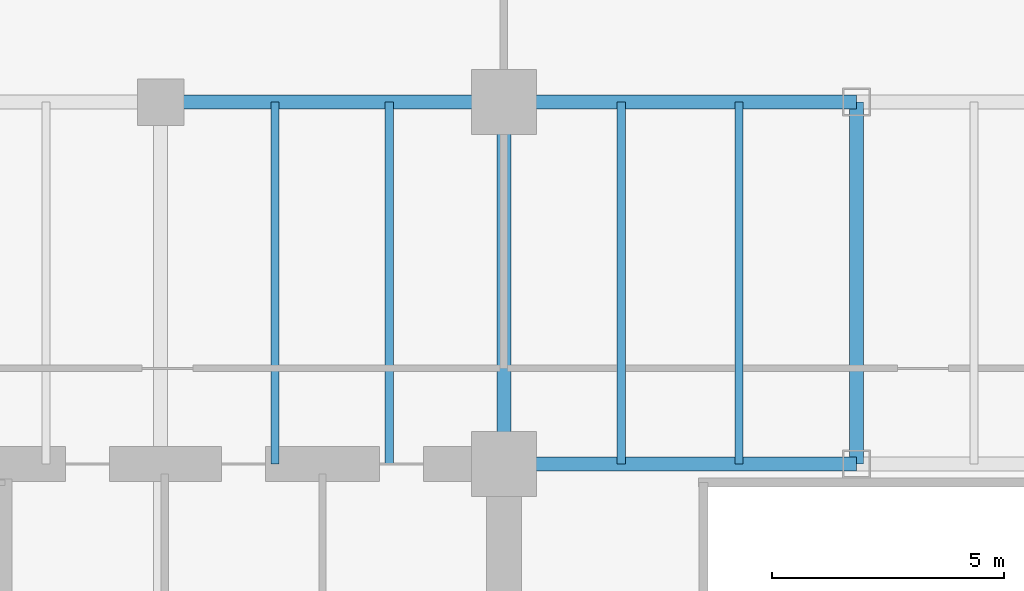
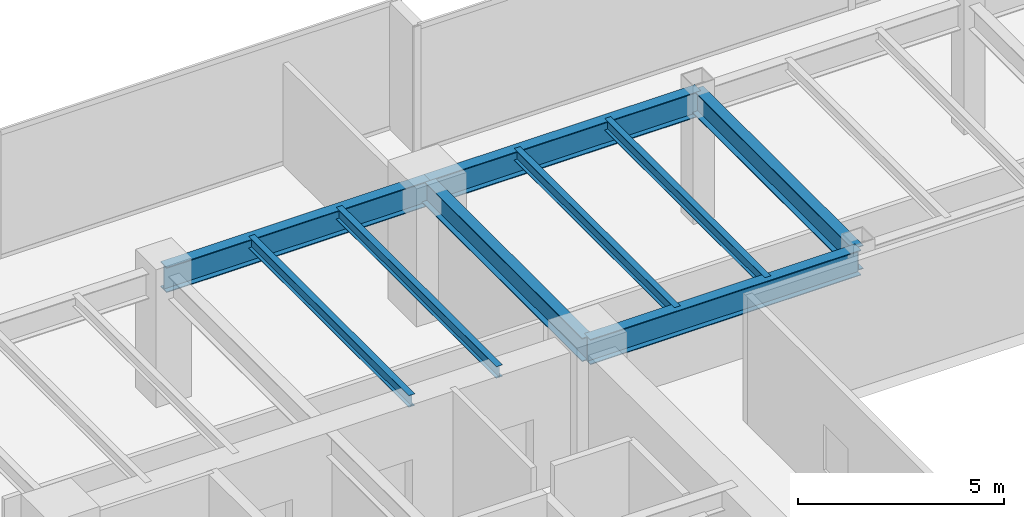
# One storey, part 13 of 35: 9 beams.
"""IFC4 building model written with IfcOpenShell, lengths in metres."""

from ifc_helpers import new_model, si_unit, direction, frame, origin, origin_2d, place, context, subcontext, project, spatial, i_section, extrude, source, transform, mapped, material, material_profile, profile_set, type_object, type_shapes, element, save


model = new_model("IFC4")

# Units and contexts
model_context = context("Model", 3, precision=1e-05, world=origin(), true_north=direction((0.0, 1.0)))
body_context = subcontext(model_context, "Body", "Model", "MODEL_VIEW")
ifc_project = project(units=[si_unit("LENGTHUNIT", "METRE"), si_unit("AREAUNIT", "SQUARE_METRE"), si_unit("VOLUMEUNIT", "CUBIC_METRE"), si_unit("PLANEANGLEUNIT", "RADIAN"), si_unit("MASSUNIT", "GRAM", prefix="KILO")], contexts=[model_context])

# Site, building, storey
site_placement = place(None, origin())
site = spatial("IfcSite", under=ifc_project, at=site_placement, CompositionType="ELEMENT")
building_placement = place(site_placement, origin())
building = spatial("IfcBuilding", under=site, at=building_placement, Name="Haelvirn Gate Laboratories", CompositionType="ELEMENT")
storey_placement = place(building_placement, frame((0.0, 0.0, 45.699951171875)))
storey = spatial("IfcBuildingStorey", under=building, at=storey_placement, Name="L11", CompositionType="ELEMENT", Elevation=45.699951171875)

# Beams
ifc_material = material(Name="Steel SM355", Category="steel")
ifc_material_profile_1 = material_profile(ifc_material, i_section(OverallWidth=0.300048828125, OverallDepth=0.699951171875, WebThickness=0.012939453125, FlangeThickness=0.02392578125, at=origin_2d()), Name="H-700x300x13x24")
ifc_profile_set_1 = profile_set([ifc_material_profile_1], Name="Steel SM355")
beam_type_1 = type_object("IfcBeamType", Name="BM-G-700", PredefinedType="BEAM", material=ifc_profile_set_1)
shared_shape_1 = source(origin(), body_context, "Body", "SweptSolid", [
    extrude(i_section(OverallWidth=0.300048828125, OverallDepth=0.699951171875, WebThickness=0.012939453125, FlangeThickness=0.02392578125, at=origin_2d()), origin(), (0.0, 0.0, 1.0), 7.800048828125),
])
type_shapes(beam_type_1, [shared_shape_1])
for number, where, z_axis, x_axis, name in (
    (1, (22.199951171875, 33.800048828125, 3.429931640625), (0.0, 1.0, 0.0), (-1.0, 0.0, 0.0), "L11 Frame Girder X22.2 (33.8-41.6)"),
    (2, (29.800048828125, 33.800048828125, 3.429931640625), (0.0, 1.0, 0.0), (-1.0, 0.0, 0.0), "L11 Frame Girder X29.8 (33.8-41.6)"),
):
    element("IfcBeam", number, at=place(storey_placement, frame(where, z_axis=z_axis, x_axis=x_axis)), inside=storey, type_object=beam_type_1, Name=name, PredefinedType="BEAM", context=body_context, shape_type="MappedRepresentation", body=[
        mapped(shared_shape_1, transform((0.0, 0.0, 0.0), scale=1.0)),
    ])
ifc_material_profile_2 = material_profile(ifc_material, i_section(OverallWidth=0.300048828125, OverallDepth=0.75, WebThickness=0.013916015625, FlangeThickness=0.02392578125, at=origin_2d()), Name="H-750x300x14x24")
ifc_profile_set_2 = profile_set([ifc_material_profile_2], Name="Steel SM355")
beam_type_2 = type_object("IfcBeamType", Name="BM-G-750", PredefinedType="BEAM", material=ifc_profile_set_2)
shared_shape_2 = source(origin(), body_context, "Body", "SweptSolid", [
    extrude(i_section(OverallWidth=0.300048828125, OverallDepth=0.75, WebThickness=0.013916015625, FlangeThickness=0.02392578125, at=origin_2d()), origin(), (0.0, 0.0, 1.0), 7.39990234375),
])
beam_placement = place(storey_placement, frame((14.800048828125, 41.60009765625, 3.405029296875), z_axis=(1.0, 0.0, 0.0), x_axis=(0.0, 1.0, 0.0)))
element("IfcBeam", 3, at=beam_placement, inside=storey, type_object=beam_type_2, Name="L11 Primary Girder Y41.6 (14.8-22.2)", PredefinedType="BEAM", context=body_context, shape_type="MappedRepresentation", body=[
    mapped(shared_shape_2, transform((0.0, 0.0, 0.0), scale=1.0)),
])
shared_shape_3 = source(origin(), body_context, "Body", "SweptSolid", [
    extrude(i_section(OverallWidth=0.300048828125, OverallDepth=0.75, WebThickness=0.013916015625, FlangeThickness=0.02392578125, at=origin_2d()), origin(), (0.0, 0.0, 1.0), 7.60009765625),
])
type_shapes(beam_type_2, [shared_shape_2, shared_shape_3])
for number, where, z_axis, x_axis, name in (
    (4, (22.199951171875, 33.800048828125, 3.405029296875), (1.0, 0.0, 0.0), (0.0, 1.0, 0.0), "L11 Primary Girder Y33.8 (22.2-29.8)"),
    (5, (22.199951171875, 41.60009765625, 3.405029296875), (1.0, 0.0, 0.0), (0.0, 1.0, 0.0), "L11 Primary Girder Y41.6 (22.2-29.8)"),
):
    element("IfcBeam", number, at=place(storey_placement, frame(where, z_axis=z_axis, x_axis=x_axis)), inside=storey, type_object=beam_type_2, Name=name, PredefinedType="BEAM", context=body_context, shape_type="MappedRepresentation", body=[
        mapped(shared_shape_3, transform((0.0, 0.0, 0.0), scale=1.0)),
    ])
ifc_material_profile_3 = material_profile(ifc_material, i_section(OverallWidth=0.175048828125, OverallDepth=0.35009765625, WebThickness=0.007080078125, FlangeThickness=0.010986328125, at=origin_2d()), Name="H-350x175x7x11")
ifc_profile_set_3 = profile_set([ifc_material_profile_3], Name="Steel SM355")
beam_type_3 = type_object("IfcBeamType", Name="BM-J-350", PredefinedType="JOIST", material=ifc_profile_set_3)
shared_shape_4 = source(origin(), body_context, "Body", "SweptSolid", [
    extrude(i_section(OverallWidth=0.175048828125, OverallDepth=0.35009765625, WebThickness=0.007080078125, FlangeThickness=0.010986328125, at=origin_2d()), origin(), (0.0, 0.0, 1.0), 7.800048828125),
])
type_shapes(beam_type_3, [shared_shape_4])
for number, where, z_axis, x_axis, name in (
    (6, (17.27001953125, 33.800048828125, 3.60498046875), (0.0, 1.0, 0.0), (-1.0, 0.0, 0.0), "L11 Composite Lab Joist North X17.27"),
    (7, (19.72998046875, 33.800048828125, 3.60498046875), (0.0, 1.0, 0.0), (-1.0, 0.0, 0.0), "L11 Composite Lab Joist North X19.73"),
    (8, (24.72998046875, 33.800048828125, 3.60498046875), (0.0, 1.0, 0.0), (-1.0, 0.0, 0.0), "L11 Composite Lab Joist North X24.73"),
    (9, (27.27001953125, 33.800048828125, 3.60498046875), (0.0, 1.0, 0.0), (-1.0, 0.0, 0.0), "L11 Composite Lab Joist North X27.27"),
):
    element("IfcBeam", number, at=place(storey_placement, frame(where, z_axis=z_axis, x_axis=x_axis)), inside=storey, type_object=beam_type_3, Name=name, PredefinedType="JOIST", context=body_context, shape_type="MappedRepresentation", body=[
        mapped(shared_shape_4, transform((0.0, 0.0, 0.0), scale=1.0)),
    ])

save(model, "model.ifc")
